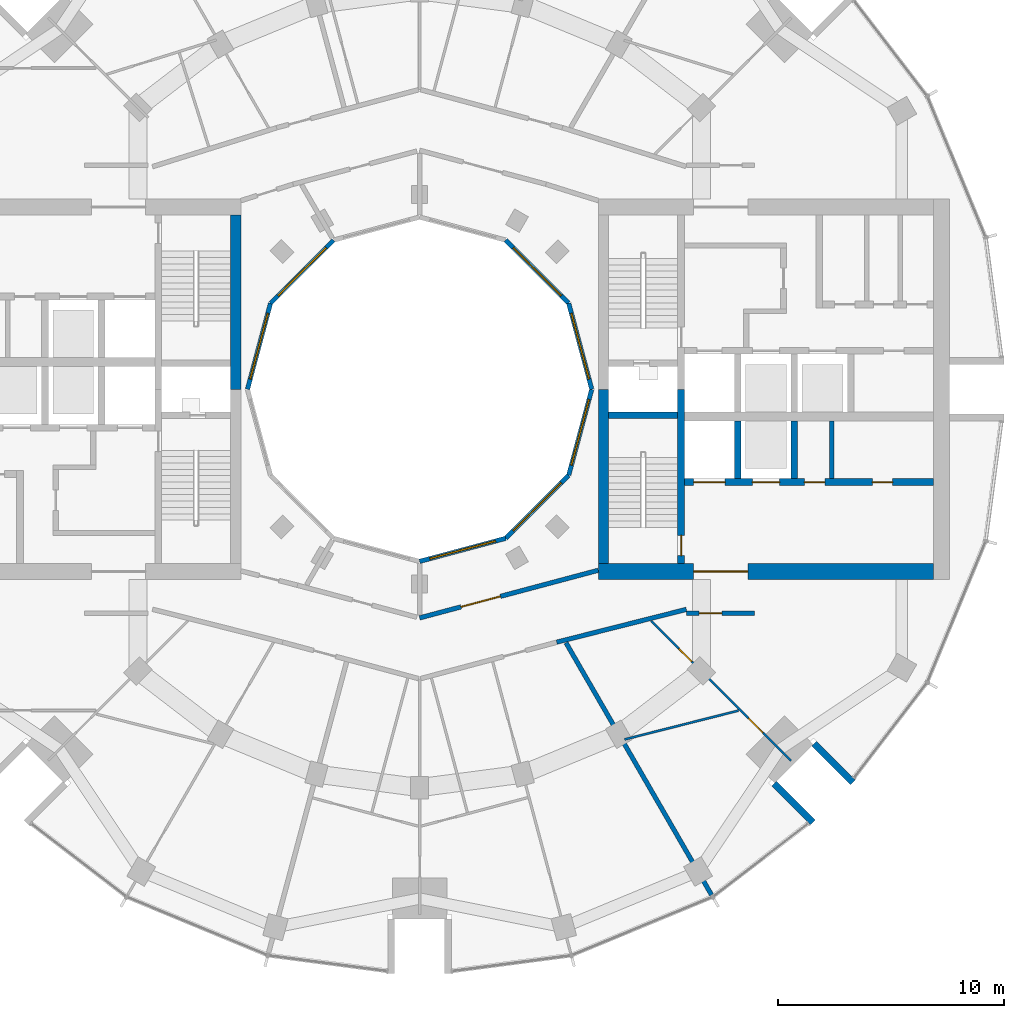
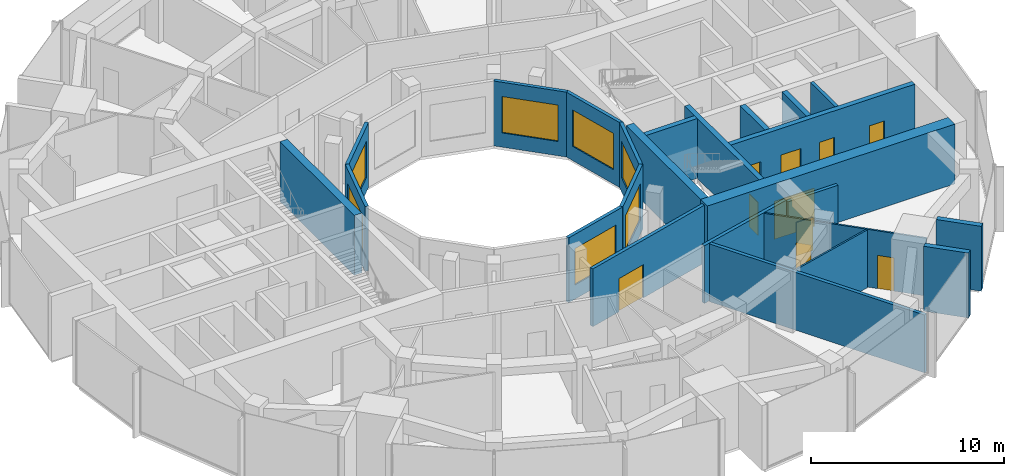
# One storey, part 10 of 15: 24 walls, 10 doors, 7 windows, 17 openings.
"""IFC4 building model written with IfcOpenShell, lengths in metres."""

from ifc_helpers import new_model, si_unit, direction, frame, frame_2d, origin, place, context, subcontext, project, spatial, rectangle, extrude, material, layer, layer_set, type_object, element, fill, save


model = new_model("IFC4")

# Units and contexts
model_context = context("Model", 3, precision=1e-05, world=origin(), true_north=direction((0.0, 1.0)))
body_context = subcontext(model_context, "Body", "Model", "MODEL_VIEW")
ifc_project = project(units=[si_unit("LENGTHUNIT", "METRE"), si_unit("AREAUNIT", "SQUARE_METRE"), si_unit("VOLUMEUNIT", "CUBIC_METRE"), si_unit("PLANEANGLEUNIT", "RADIAN"), si_unit("MASSUNIT", "GRAM", prefix="KILO")], contexts=[model_context])

# Site, building, storey
site_placement = place(None, origin())
site = spatial("IfcSite", under=ifc_project, at=site_placement, CompositionType="ELEMENT")
building_placement = place(site_placement, origin())
building = spatial("IfcBuilding", under=site, at=building_placement, Name="Torre Brocal", CompositionType="ELEMENT")
storey_placement = place(building_placement, frame((0.0, 0.0, 194.60009765625)))
storey = spatial("IfcBuildingStorey", under=building, at=storey_placement, Name="L45", CompositionType="ELEMENT", Elevation=194.60009765625)

# Wall
ifc_material_1 = material(Name="Masonry block", Category="masonry")
ifc_layer_1 = layer(ifc_material_1, 0.199951171875)
ifc_layer_set_1 = layer_set([ifc_layer_1], Name="Masonry block")
wall_type_1 = type_object("IfcWallType", Name="CORE PARTITION 200", PredefinedType="PARTITIONING", material=ifc_layer_set_1)
wall_1_placement = place(storey_placement, frame((98.199951171875, 71.050048828125, 0.0), z_axis=(0.0, 0.0, 1.0), x_axis=(0.0, 1.0, 0.0)))
element("IfcWall", 1, at=wall_1_placement, inside=storey, type_object=wall_type_1, Name="Wall CP200", PredefinedType="PARTITIONING", context=body_context, shape_type="SweptSolid", body=[
    extrude(rectangle(XDim=2.550048828125, YDim=0.199951171875, at=frame_2d((1.27490234375, 0.0))), origin(), (0.0, 0.0, 1.0), 3.77978515625),
])

# Wall, opening, door
ifc_material_2 = material(Name="Concrete C70", Category="concrete")
ifc_layer_2 = layer(ifc_material_2, 0.300048828125)
ifc_layer_set_2 = layer_set([ifc_layer_2], Name="Concrete C70")
wall_type_2 = type_object("IfcWallType", Name="CORE WALL 300 C70", PredefinedType="SHEAR", material=ifc_layer_set_2)
wall_2_placement = place(storey_placement, frame((91.550048828125, 67.300048828125, 0.0), z_axis=(0.0, 0.0, 1.0), x_axis=(0.0, 1.0, 0.0)))
wall_2 = element("IfcWall", 2, at=wall_2_placement, inside=storey, type_object=wall_type_2, Name="Wall CW300-70", PredefinedType="SHEAR", context=body_context, shape_type="SweptSolid", body=[
    extrude(rectangle(XDim=7.699951171875, YDim=0.300048828125, at=frame_2d((3.85009765625, 0.0))), origin(), (0.0, 0.0, 1.0), 3.77978515625),
])
opening_1_placement = place(wall_2_placement, frame((0.35009765625, 0.0, 0.0)))
opening_1 = element("IfcOpeningElement", 3, at=opening_1_placement, cuts=wall_2, Name="Opening E-D03", PredefinedType="OPENING", context=body_context, shape_type="SweptSolid", body=[
    extrude(rectangle(XDim=0.89990234375, YDim=2.10009765625, at=frame_2d((0.449951171875, 1.050048828125))), frame((0.0, 0.159912109375, 0.0), z_axis=(0.0, -1.0, 0.0), x_axis=(1.0, 0.0, 0.0)), (0.0, 0.0, 1.0), 0.320068359375),
])
ifc_material_3 = material(Name="Steel A653", Category="steel")
door_type_1 = type_object("IfcDoorType", Name="STAIR DOOR FD120 900X2100", OperationType="SINGLE_SWING_RIGHT", PredefinedType="DOOR", material=ifc_material_3)
door_1_placement = place(opening_1_placement, origin())
door_1 = element("IfcDoor", 4, at=door_1_placement, inside=storey, type_object=door_type_1, Name="Door E-D03", OperationType="SINGLE_SWING_LEFT", OverallHeight=2.10009765625, OverallWidth=0.89990234375, PredefinedType="DOOR", context=body_context, shape_type="SweptSolid", body=[
    extrude(rectangle(XDim=0.89990234375, YDim=2.10009765625, at=frame_2d((0.449951171875, 1.050048828125))), frame((0.0, 0.02490234375, 0.0), z_axis=(0.0, -1.0, 0.0), x_axis=(1.0, 0.0, 0.0)), (0.0, 0.0, 1.0), 0.050048828125),
])
fill(opening_1, door_1)

# Wall
wall_3_placement = place(storey_placement, frame((88.35009765625, 73.85009765625, 0.0), z_axis=(0.0, 0.0, 1.0), x_axis=(1.0, 0.0, 0.0)))
element("IfcWall", 5, at=wall_3_placement, inside=storey, type_object=wall_type_2, Name="Wall CW300-70", PredefinedType="SHEAR", context=body_context, shape_type="SweptSolid", body=[
    extrude(rectangle(XDim=3.0498046875, YDim=0.300048828125, at=frame_2d((1.52490234375, 0.0))), origin(), (0.0, 0.0, 1.0), 3.77978515625),
])

# Wall, openings, doors
wall_4_placement = place(storey_placement, frame((91.699951171875, 70.89990234375, 0.0), z_axis=(0.0, 0.0, 1.0), x_axis=(1.0, 0.0, 0.0)))
wall_4 = element("IfcWall", 6, at=wall_4_placement, inside=storey, type_object=wall_type_2, Name="Wall CW300-70", PredefinedType="SHEAR", context=body_context, shape_type="SweptSolid", body=[
    extrude(rectangle(XDim=11.0, YDim=0.300048828125, at=frame_2d((5.5, 0.0))), origin(), (0.0, 0.0, 1.0), 3.77978515625),
])
opening_2_placement = place(wall_4_placement, frame((0.39990234375, 0.0, 0.0)))
opening_2 = element("IfcOpeningElement", 7, at=opening_2_placement, cuts=wall_4, Name="Opening LD14", PredefinedType="OPENING", context=body_context, shape_type="SweptSolid", body=[
    extrude(rectangle(XDim=1.39990234375, YDim=2.10009765625, at=frame_2d((0.699951171875, 1.050048828125))), frame((0.0, 0.159912109375, 0.0), z_axis=(0.0, -1.0, 0.0), x_axis=(1.0, 0.0, 0.0)), (0.0, 0.0, 1.0), 0.320068359375),
])
opening_3_placement = place(wall_4_placement, frame((3.0, 0.0, 0.0)))
opening_3 = element("IfcOpeningElement", 8, at=opening_3_placement, cuts=wall_4, Name="Opening LD12", PredefinedType="OPENING", context=body_context, shape_type="SweptSolid", body=[
    extrude(rectangle(XDim=1.199951171875, YDim=2.10009765625, at=frame_2d((0.60009765625, 1.050048828125))), frame((0.0, 0.159912109375, 0.0), z_axis=(0.0, -1.0, 0.0), x_axis=(1.0, 0.0, 0.0)), (0.0, 0.0, 1.0), 0.320068359375),
])
opening_4_placement = place(wall_4_placement, frame((5.300048828125, 0.0, 0.0)))
opening_4 = element("IfcOpeningElement", 9, at=opening_4_placement, cuts=wall_4, Name="Opening E-D05", PredefinedType="OPENING", context=body_context, shape_type="SweptSolid", body=[
    extrude(rectangle(XDim=0.89990234375, YDim=2.10009765625, at=frame_2d((0.449951171875, 1.050048828125))), frame((0.0, 0.159912109375, 0.0), z_axis=(0.0, -1.0, 0.0), x_axis=(1.0, 0.0, 0.0)), (0.0, 0.0, 1.0), 0.320068359375),
])
opening_5_placement = place(wall_4_placement, frame((8.300048828125, 0.0, 0.0)))
opening_5 = element("IfcOpeningElement", 10, at=opening_5_placement, cuts=wall_4, Name="Opening E-D06", PredefinedType="OPENING", context=body_context, shape_type="SweptSolid", body=[
    extrude(rectangle(XDim=0.89990234375, YDim=2.10009765625, at=frame_2d((0.449951171875, 1.050048828125))), frame((0.0, 0.159912109375, 0.0), z_axis=(0.0, -1.0, 0.0), x_axis=(1.0, 0.0, 0.0)), (0.0, 0.0, 1.0), 0.320068359375),
])
ifc_material_4 = material(Name="Stainless steel AISI 316", Category="steel")
door_type_2 = type_object("IfcDoorType", Name="LIFT LANDING DOOR 1200X2100", OperationType="DOUBLE_DOOR_SLIDING", PredefinedType="DOOR", material=ifc_material_4)
door_2_placement = place(opening_3_placement, origin())
door_2 = element("IfcDoor", 11, at=door_2_placement, inside=storey, type_object=door_type_2, Name="Door LD12", OperationType="DOUBLE_DOOR_SLIDING", OverallHeight=2.10009765625, OverallWidth=1.199951171875, PredefinedType="DOOR", context=body_context, shape_type="SweptSolid", body=[
    extrude(rectangle(XDim=1.199951171875, YDim=2.10009765625, at=frame_2d((0.60009765625, 1.050048828125))), frame((0.0, 0.02490234375, 0.0), z_axis=(0.0, -1.0, 0.0), x_axis=(1.0, 0.0, 0.0)), (0.0, 0.0, 1.0), 0.050048828125),
])
fill(opening_3, door_2)
ifc_material_5 = material(Name="Stainless steel AISI 316", Category="steel")
door_type_3 = type_object("IfcDoorType", Name="LIFT LANDING DOOR 1400X2100", OperationType="DOUBLE_DOOR_SLIDING", PredefinedType="DOOR", material=ifc_material_5)
door_3_placement = place(opening_2_placement, origin())
door_3 = element("IfcDoor", 12, at=door_3_placement, inside=storey, type_object=door_type_3, Name="Door LD14", OperationType="DOUBLE_DOOR_SLIDING", OverallHeight=2.10009765625, OverallWidth=1.39990234375, PredefinedType="DOOR", context=body_context, shape_type="SweptSolid", body=[
    extrude(rectangle(XDim=1.39990234375, YDim=2.10009765625, at=frame_2d((0.699951171875, 1.050048828125))), frame((0.0, 0.02490234375, 0.0), z_axis=(0.0, -1.0, 0.0), x_axis=(1.0, 0.0, 0.0)), (0.0, 0.0, 1.0), 0.050048828125),
])
fill(opening_2, door_3)
ifc_material_6 = material(Name="Steel A653", Category="steel")
door_type_4 = type_object("IfcDoorType", Name="ROOM DOOR FD30S 900X2100", OperationType="SINGLE_SWING_LEFT", PredefinedType="DOOR", material=ifc_material_6)
door_4_placement = place(opening_4_placement, origin())
door_4 = element("IfcDoor", 13, at=door_4_placement, inside=storey, type_object=door_type_4, Name="Door E-D05", OperationType="SINGLE_SWING_RIGHT", OverallHeight=2.10009765625, OverallWidth=0.89990234375, PredefinedType="DOOR", context=body_context, shape_type="SweptSolid", body=[
    extrude(rectangle(XDim=0.89990234375, YDim=2.10009765625, at=frame_2d((0.449951171875, 1.050048828125))), frame((0.0, 0.02490234375, 0.0), z_axis=(0.0, -1.0, 0.0), x_axis=(1.0, 0.0, 0.0)), (0.0, 0.0, 1.0), 0.050048828125),
])
fill(opening_4, door_4)
door_5_placement = place(opening_5_placement, origin())
door_5 = element("IfcDoor", 14, at=door_5_placement, inside=storey, type_object=door_type_4, Name="Door E-D06", OperationType="SINGLE_SWING_RIGHT", OverallHeight=2.10009765625, OverallWidth=0.89990234375, PredefinedType="DOOR", context=body_context, shape_type="SweptSolid", body=[
    extrude(rectangle(XDim=0.89990234375, YDim=2.10009765625, at=frame_2d((0.449951171875, 1.050048828125))), frame((0.0, 0.02490234375, 0.0), z_axis=(0.0, -1.0, 0.0), x_axis=(1.0, 0.0, 0.0)), (0.0, 0.0, 1.0), 0.050048828125),
])
fill(opening_5, door_5)

# Walls
for number, where, z_axis, x_axis, name in (
    (15, (94.050048828125, 71.050048828125, 0.0), (0.0, 0.0, 1.0), (0.0, 1.0, 0.0), "Wall CW300-70"),
    (16, (96.550048828125, 71.050048828125, 0.0), (0.0, 0.0, 1.0), (0.0, 1.0, 0.0), "Wall CW300-70"),
):
    element("IfcWall", number, at=place(storey_placement, frame(where, z_axis=z_axis, x_axis=x_axis)), inside=storey, type_object=wall_type_2, Name=name, PredefinedType="SHEAR", context=body_context, shape_type="SweptSolid", body=[
        extrude(rectangle(XDim=2.550048828125, YDim=0.300048828125, at=frame_2d((1.27490234375, 0.0))), origin(), (0.0, 0.0, 1.0), 3.77978515625),
    ])
ifc_material_7 = material(Name="Concrete C70", Category="concrete")
ifc_layer_3 = layer(ifc_material_7, 0.449951171875)
ifc_layer_set_3 = layer_set([ifc_layer_3], Name="Concrete C70")
wall_type_3 = type_object("IfcWallType", Name="CORE WALL 450 C70", PredefinedType="SHEAR", material=ifc_layer_set_3)
for number, where, z_axis, x_axis, name in (
    (17, (88.125, 67.300048828125, 0.0), (0.0, 0.0, 1.0), (0.0, 1.0, 0.0), "Wall CW450-70"),
    (18, (71.875, 82.699951171875, 0.0), (0.0, 0.0, 1.0), (0.0, -1.0, 0.0), "Wall CW450-70"),
):
    element("IfcWall", number, at=place(storey_placement, frame(where, z_axis=z_axis, x_axis=x_axis)), inside=storey, type_object=wall_type_3, Name=name, PredefinedType="SHEAR", context=body_context, shape_type="SweptSolid", body=[
        extrude(rectangle(XDim=7.699951171875, YDim=0.449951171875, at=frame_2d((3.85009765625, 0.0))), origin(), (0.0, 0.0, 1.0), 3.77978515625),
    ])

# Wall, opening, door
ifc_material_8 = material(Name="Concrete C70", Category="concrete")
ifc_layer_4 = layer(ifc_material_8, 0.699951171875)
ifc_layer_set_4 = layer_set([ifc_layer_4], Name="Concrete C70")
wall_type_4 = type_object("IfcWallType", Name="CORE WALL 700 C70", PredefinedType="SHEAR", material=ifc_layer_set_4)
wall_5_placement = place(storey_placement, frame((87.89990234375, 66.949951171875, 0.0), z_axis=(0.0, 0.0, 1.0), x_axis=(1.0, 0.0, 0.0)))
wall_5 = element("IfcWall", 19, at=wall_5_placement, inside=storey, type_object=wall_type_4, Name="Wall CW700-70", PredefinedType="SHEAR", context=body_context, shape_type="SweptSolid", body=[
    extrude(rectangle(XDim=14.800048828125, YDim=0.699951171875, at=frame_2d((7.39990234375, 0.0))), origin(), (0.0, 0.0, 1.0), 3.77978515625),
])
opening_6_placement = place(wall_5_placement, frame((4.199951171875, 0.0, 0.0)))
opening_6 = element("IfcOpeningElement", 20, at=opening_6_placement, cuts=wall_5, Name="Opening E-D12", PredefinedType="OPENING", context=body_context, shape_type="SweptSolid", body=[
    extrude(rectangle(XDim=2.39990234375, YDim=2.39990234375, at=frame_2d((1.199951171875, 1.199951171875))), frame((0.0, 0.35986328125, 0.0), z_axis=(0.0, -1.0, 0.0), x_axis=(1.0, 0.0, 0.0)), (0.0, 0.0, 1.0), 0.719970703125),
])
ifc_material_9 = material(Name="Steel A653", Category="steel")
door_type_5 = type_object("IfcDoorType", Name="DOUBLE FIRE DOOR FD90 2400X2400", OperationType="DOUBLE_DOOR_SINGLE_SWING", PredefinedType="DOOR", material=ifc_material_9)
door_6_placement = place(opening_6_placement, origin())
door_6 = element("IfcDoor", 21, at=door_6_placement, inside=storey, type_object=door_type_5, Name="Door E-D12", OperationType="DOUBLE_DOOR_SINGLE_SWING", OverallHeight=2.39990234375, OverallWidth=2.39990234375, PredefinedType="DOOR", context=body_context, shape_type="SweptSolid", body=[
    extrude(rectangle(XDim=2.39990234375, YDim=2.39990234375, at=frame_2d((1.199951171875, 1.199951171875))), frame((0.0, 0.02490234375, 0.0), z_axis=(0.0, -1.0, 0.0), x_axis=(1.0, 0.0, 0.0)), (0.0, 0.0, 1.0), 0.050048828125),
])
fill(opening_6, door_6)

# Walls
ifc_material_10 = material(Name="Concrete C70", Category="concrete")
ifc_layer_5 = layer(ifc_material_10, 0.300048828125)
ifc_layer_set_5 = layer_set([ifc_layer_5], Name="Concrete C70")
wall_type_5 = type_object("IfcWallType", Name="NOTCH RETURN WALL 300 C70", PredefinedType="NOTDEFINED", material=ifc_layer_set_5)
for number, where, z_axis, x_axis, name in (
    (22, (95.662353515625, 57.56982421875, 0.0), (0.0, 0.0, 1.0), (0.707106781187, -0.707106781187, 0.0), "NOTCH RETURN WALL"),
    (23, (97.43017578125, 59.337646484375, 0.0), (0.0, 0.0, 1.0), (0.707106781187, -0.707106781187, 0.0), "NOTCH RETURN WALL"),
):
    element("IfcWall", number, at=place(storey_placement, frame(where, z_axis=z_axis, x_axis=x_axis)), inside=storey, type_object=wall_type_5, Name=name, PredefinedType="NOTDEFINED", context=body_context, shape_type="SweptSolid", body=[
        extrude(rectangle(XDim=2.415771484375, YDim=0.300048828125, at=frame_2d((1.2080078125, 0.0))), origin(), (0.0, 0.0, 1.0), 4.099853515625),
    ])
ifc_material_11 = material(Name="Gypsum board", Category="Gypsum")
ifc_layer_6 = layer(ifc_material_11, 0.10009765625)
ifc_layer_set_6 = layer_set([ifc_layer_6], Name="Gypsum board")
wall_type_6 = type_object("IfcWallType", Name="PARTITION 100", PredefinedType="PARTITIONING", material=ifc_layer_set_6)
wall_6_placement = place(storey_placement, frame((89.0537109375, 59.531005859375, 0.0), z_axis=(0.0, 0.0, 1.0), x_axis=(0.969472150829, 0.245201445279, 0.0)))
element("IfcWall", 24, at=wall_6_placement, inside=storey, type_object=wall_type_6, Name="BATHROOM WALL", PredefinedType="PARTITIONING", context=body_context, shape_type="SweptSolid", body=[
    extrude(rectangle(XDim=5.19140625, YDim=0.10009765625, at=frame_2d((2.595703125, 0.0))), origin(), (0.0, 0.0, 1.0), 3.64990234375),
])

# Wall, openings, doors
wall_7_placement = place(storey_placement, frame((90.236328125, 64.75830078125, 0.0), z_axis=(0.0, 0.0, 1.0), x_axis=(0.706952774706, -0.707260754132, 0.0)))
wall_7 = element("IfcWall", 25, at=wall_7_placement, inside=storey, type_object=wall_type_6, Name="BATHROOM WALL", PredefinedType="PARTITIONING", context=body_context, shape_type="SweptSolid", body=[
    extrude(rectangle(XDim=8.719970703125, YDim=0.10009765625, at=frame_2d((4.35986328125, 0.0))), origin(), (0.0, 0.0, 1.0), 3.64990234375),
])
opening_7_placement = place(wall_7_placement, frame((6.077392578125, 0.0, 0.0)))
opening_7 = element("IfcOpeningElement", 26, at=opening_7_placement, cuts=wall_7, Name="Opening R04-D22", PredefinedType="OPENING", context=body_context, shape_type="SweptSolid", body=[
    extrude(rectangle(XDim=0.89990234375, YDim=2.10009765625, at=frame_2d((0.449951171875, 1.050048828125))), frame((0.0, 0.06005859375, 0.0), z_axis=(0.0, -1.0, 0.0), x_axis=(1.0, 0.0, 0.0)), (0.0, 0.0, 1.0), 0.1201171875),
])
opening_8_placement = place(wall_7_placement, frame((1.722412109375, 0.0, 0.0)))
opening_8 = element("IfcOpeningElement", 27, at=opening_8_placement, cuts=wall_7, Name="Opening R04-D23", PredefinedType="OPENING", context=body_context, shape_type="SweptSolid", body=[
    extrude(rectangle(XDim=0.800048828125, YDim=2.10009765625, at=frame_2d((0.39990234375, 1.050048828125))), frame((0.0, 0.06005859375, 0.0), z_axis=(0.0, -1.0, 0.0), x_axis=(1.0, 0.0, 0.0)), (0.0, 0.0, 1.0), 0.1201171875),
])
ifc_material_12 = material(Name="Timber", Category="wood")
door_type_6 = type_object("IfcDoorType", Name="BATHROOM DOOR 800X2100", OperationType="SINGLE_SWING_LEFT", PredefinedType="DOOR", material=ifc_material_12)
door_7_placement = place(opening_8_placement, frame((0.800048828125, 0.0, 0.0), z_axis=(0.0, 0.0, 1.0), x_axis=(-1.0, 0.0, 0.0)))
door_7 = element("IfcDoor", 28, at=door_7_placement, inside=storey, type_object=door_type_6, Name="R04-D23", OperationType="SINGLE_SWING_RIGHT", OverallHeight=2.10009765625, OverallWidth=0.800048828125, PredefinedType="DOOR", context=body_context, shape_type="SweptSolid", body=[
    extrude(rectangle(XDim=0.800048828125, YDim=2.10009765625, at=frame_2d((0.39990234375, 1.050048828125))), frame((0.0, 0.02490234375, 0.0), z_axis=(0.0, -1.0, 0.0), x_axis=(1.0, 0.0, 0.0)), (0.0, 0.0, 1.0), 0.050048828125),
])
fill(opening_8, door_7)
ifc_material_13 = material(Name="Timber", Category="wood")
door_type_7 = type_object("IfcDoorType", Name="ROOM DOOR 900X2100", OperationType="SINGLE_SWING_LEFT", PredefinedType="DOOR", material=ifc_material_13)
door_8_placement = place(opening_7_placement, origin())
door_8 = element("IfcDoor", 29, at=door_8_placement, inside=storey, type_object=door_type_7, Name="R04-D22", OperationType="SINGLE_SWING_RIGHT", OverallHeight=2.10009765625, OverallWidth=0.89990234375, PredefinedType="DOOR", context=body_context, shape_type="SweptSolid", body=[
    extrude(rectangle(XDim=0.89990234375, YDim=2.10009765625, at=frame_2d((0.449951171875, 1.050048828125))), frame((0.0, 0.02490234375, 0.0), z_axis=(0.0, -1.0, 0.0), x_axis=(1.0, 0.0, 0.0)), (0.0, 0.0, 1.0), 0.050048828125),
])
fill(opening_7, door_8)

# Wall, opening, door
ifc_material_14 = material(Name="Gypsum board", Category="Gypsum")
ifc_layer_7 = layer(ifc_material_14, 0.199951171875)
ifc_layer_set_7 = layer_set([ifc_layer_7], Name="Gypsum board")
wall_type_7 = type_object("IfcWallType", Name="PARTITION 200 EI60", PredefinedType="PARTITIONING", material=ifc_layer_set_7)
wall_8_placement = place(storey_placement, frame((80.00048828125, 64.8984375, 0.0), z_axis=(0.0, 0.0, 1.0), x_axis=(0.966236923997, 0.25765520896, 0.0)))
wall_8 = element("IfcWall", 30, at=wall_8_placement, inside=storey, type_object=wall_type_7, Name="CORRIDOR WALL", PredefinedType="PARTITIONING", context=body_context, shape_type="SweptSolid", body=[
    extrude(rectangle(XDim=8.16796875, YDim=0.199951171875, at=frame_2d((4.083984375, 0.0))), origin(), (0.0, 0.0, 1.0), 3.64990234375),
])
opening_9_placement = place(wall_8_placement, frame((1.892578125, 0.0, 0.0)))
opening_9 = element("IfcOpeningElement", 31, at=opening_9_placement, cuts=wall_8, Name="Opening R04-D37", PredefinedType="OPENING", context=body_context, shape_type="SweptSolid", body=[
    extrude(rectangle(XDim=1.800048828125, YDim=2.10009765625, at=frame_2d((0.89990234375, 1.050048828125))), frame((0.0, 0.10986328125, 0.0), z_axis=(0.0, -1.0, 0.0), x_axis=(1.0, 0.0, 0.0)), (0.0, 0.0, 1.0), 0.219970703125),
])
ifc_material_15 = material(Name="Timber", Category="wood")
door_type_8 = type_object("IfcDoorType", Name="DOUBLE DOOR 1800X2100", OperationType="DOUBLE_DOOR_SINGLE_SWING", PredefinedType="DOOR", material=ifc_material_15)
door_9_placement = place(opening_9_placement, origin())
door_9 = element("IfcDoor", 32, at=door_9_placement, inside=storey, type_object=door_type_8, Name="R04-D37", OperationType="DOUBLE_DOOR_SINGLE_SWING", OverallHeight=2.10009765625, OverallWidth=1.800048828125, PredefinedType="DOOR", context=body_context, shape_type="SweptSolid", body=[
    extrude(rectangle(XDim=1.800048828125, YDim=2.10009765625, at=frame_2d((0.89990234375, 1.050048828125))), frame((0.0, 0.02490234375, 0.0), z_axis=(0.0, -1.0, 0.0), x_axis=(1.0, 0.0, 0.0)), (0.0, 0.0, 1.0), 0.050048828125),
])
fill(opening_9, door_9)

# Walls
wall_9_placement = place(storey_placement, frame((86.052978515625, 63.826171875, 0.0), z_axis=(0.0, 0.0, 1.0), x_axis=(0.969490004987, 0.245130843083, 0.0)))
element("IfcWall", 33, at=wall_9_placement, inside=storey, type_object=wall_type_7, Name="FLAT ENTRANCE WALL", PredefinedType="PARTITIONING", context=body_context, shape_type="SweptSolid", body=[
    extrude(rectangle(XDim=5.907958984375, YDim=0.199951171875, at=frame_2d((2.9541015625, 0.0))), origin(), (0.0, 0.0, 1.0), 3.64990234375),
])
wall_10_placement = place(storey_placement, frame((86.4658203125, 63.80126953125, 0.0), z_axis=(0.0, 0.0, 1.0), x_axis=(0.499937082171, -0.866061726362, 0.0)))
element("IfcWall", 34, at=wall_10_placement, inside=storey, type_object=wall_type_7, Name="BATHROOM WALL", PredefinedType="PARTITIONING", context=body_context, shape_type="SweptSolid", body=[
    extrude(rectangle(XDim=12.866455078125, YDim=0.199951171875, at=frame_2d((6.43310546875, 0.0))), origin(), (0.0, 0.0, 1.0), 3.64990234375),
])

# Wall, opening, door
wall_11_placement = place(storey_placement, frame((91.800048828125, 65.10009765625, 0.0), z_axis=(0.0, 0.0, 1.0), x_axis=(1.0, 0.0, 0.0)))
wall_11 = element("IfcWall", 35, at=wall_11_placement, inside=storey, type_object=wall_type_7, Name="FLAT ENTRANCE WALL", PredefinedType="PARTITIONING", context=body_context, shape_type="SweptSolid", body=[
    extrude(rectangle(XDim=3.0, YDim=0.199951171875, at=frame_2d((1.5, 0.0))), origin(), (0.0, 0.0, 1.0), 3.64990234375),
])
opening_10_placement = place(wall_11_placement, frame((0.550048828125, 0.0, 0.0)))
opening_10 = element("IfcOpeningElement", 36, at=opening_10_placement, cuts=wall_11, Name="Opening R04-D21", PredefinedType="OPENING", context=body_context, shape_type="SweptSolid", body=[
    extrude(rectangle(XDim=1.0, YDim=2.10009765625, at=frame_2d((0.5, 1.050048828125))), frame((0.0, 0.10986328125, 0.0), z_axis=(0.0, -1.0, 0.0), x_axis=(1.0, 0.0, 0.0)), (0.0, 0.0, 1.0), 0.219970703125),
])
ifc_material_16 = material(Name="Timber", Category="wood")
door_type_9 = type_object("IfcDoorType", Name="FLAT ENTRY DOOR FD30S 1000X2100", OperationType="SINGLE_SWING_RIGHT", PredefinedType="DOOR", material=ifc_material_16)
door_10_placement = place(opening_10_placement, frame((1.0, 0.0, 0.0), z_axis=(0.0, 0.0, 1.0), x_axis=(-1.0, 0.0, 0.0)))
door_10 = element("IfcDoor", 37, at=door_10_placement, inside=storey, type_object=door_type_9, Name="R04-D21", OperationType="SINGLE_SWING_RIGHT", OverallHeight=2.10009765625, OverallWidth=1.0, PredefinedType="DOOR", context=body_context, shape_type="SweptSolid", body=[
    extrude(rectangle(XDim=1.0, YDim=2.10009765625, at=frame_2d((0.5, 1.050048828125))), frame((0.0, 0.02490234375, 0.0), z_axis=(0.0, -1.0, 0.0), x_axis=(1.0, 0.0, 0.0)), (0.0, 0.0, 1.0), 0.050048828125),
])
fill(opening_10, door_10)

# Wall, opening, window
ifc_material_17 = material(Name="Concrete C40", Category="concrete")
ifc_layer_8 = layer(ifc_material_17, 0.199951171875)
ifc_layer_set_8 = layer_set([ifc_layer_8], Name="Concrete C40")
wall_type_8 = type_object("IfcWallType", Name="WELL FACADE WALL 200", PredefinedType="NOTDEFINED", material=ifc_layer_set_8)
wall_12_placement = place(storey_placement, frame((87.603515625, 75.0, 0.0), z_axis=(0.0, 0.0, 1.0), x_axis=(-0.258789828301, 0.965933654434, 0.0)))
wall_12 = element("IfcWall", 38, at=wall_12_placement, inside=storey, type_object=wall_type_8, Name="WELL FACADE WALL", PredefinedType="NOTDEFINED", context=body_context, shape_type="SweptSolid", body=[
    extrude(rectangle(XDim=3.935791015625, YDim=0.199951171875, at=frame_2d((1.9677734375, 0.0))), origin(), (0.0, 0.0, 1.0), 4.099853515625),
])
opening_11_placement = place(wall_12_placement, frame((0.468017578125, 0.0, 0.89990234375)))
opening_11 = element("IfcOpeningElement", 39, at=opening_11_placement, cuts=wall_12, Name="Opening W1", PredefinedType="OPENING", context=body_context, shape_type="SweptSolid", body=[
    extrude(rectangle(XDim=3.0, YDim=2.300048828125, at=frame_2d((1.5, 1.14990234375))), frame((0.0, 0.10986328125, 0.0), z_axis=(0.0, -1.0, 0.0), x_axis=(1.0, 0.0, 0.0)), (0.0, 0.0, 1.0), 0.219970703125),
])
ifc_material_18 = material(Name="Aluminium and glass", Category="aluminium")
window_type = type_object("IfcWindowType", Name="WELL WINDOW 3000X2300", PartitioningType="SINGLE_PANEL", PredefinedType="WINDOW", material=ifc_material_18)
window_1_placement = place(opening_11_placement, origin())
window_1 = element("IfcWindow", 40, at=window_1_placement, inside=storey, type_object=window_type, Name="WELL WINDOW 3000X2300", OverallHeight=2.300048828125, OverallWidth=3.0, PartitioningType="SINGLE_PANEL", PredefinedType="WINDOW", context=body_context, shape_type="SweptSolid", body=[
    extrude(rectangle(XDim=3.0, YDim=2.300048828125, at=frame_2d((1.5, 1.14990234375))), frame((0.0, 0.030029296875, 0.0), z_axis=(0.0, -1.0, 0.0), x_axis=(1.0, 0.0, 0.0)), (0.0, 0.0, 1.0), 0.06005859375),
])
fill(opening_11, window_1)

wall_13_placement = place(storey_placement, frame((86.5849609375, 78.8017578125, 0.0), z_axis=(0.0, 0.0, 1.0), x_axis=(-0.707106781187, 0.707106781187, 0.0)))
wall_13 = element("IfcWall", 41, at=wall_13_placement, inside=storey, type_object=wall_type_8, Name="WELL FACADE WALL", PredefinedType="NOTDEFINED", context=body_context, shape_type="SweptSolid", body=[
    extrude(rectangle(XDim=3.93603515625, YDim=0.199951171875, at=frame_2d((1.968017578125, 0.0))), origin(), (0.0, 0.0, 1.0), 4.099853515625),
])
opening_12_placement = place(wall_13_placement, frame((0.468017578125, 0.0, 0.89990234375)))
opening_12 = element("IfcOpeningElement", 42, at=opening_12_placement, cuts=wall_13, Name="Opening W1", PredefinedType="OPENING", context=body_context, shape_type="SweptSolid", body=[
    extrude(rectangle(XDim=3.0, YDim=2.300048828125, at=frame_2d((1.5, 1.14990234375))), frame((0.0, 0.10986328125, 0.0), z_axis=(0.0, -1.0, 0.0), x_axis=(1.0, 0.0, 0.0)), (0.0, 0.0, 1.0), 0.219970703125),
])
window_2_placement = place(opening_12_placement, origin())
window_2 = element("IfcWindow", 43, at=window_2_placement, inside=storey, type_object=window_type, Name="WELL WINDOW 3000X2300", OverallHeight=2.300048828125, OverallWidth=3.0, PartitioningType="SINGLE_PANEL", PredefinedType="WINDOW", context=body_context, shape_type="SweptSolid", body=[
    extrude(rectangle(XDim=3.0, YDim=2.300048828125, at=frame_2d((1.5, 1.14990234375))), frame((0.0, 0.030029296875, 0.0), z_axis=(0.0, -1.0, 0.0), x_axis=(1.0, 0.0, 0.0)), (0.0, 0.0, 1.0), 0.06005859375),
])
fill(opening_12, window_2)

wall_14_placement = place(storey_placement, frame((76.1982421875, 81.5849609375, 0.0), z_axis=(0.0, 0.0, 1.0), x_axis=(-0.707106781187, -0.707106781187, 0.0)))
wall_14 = element("IfcWall", 44, at=wall_14_placement, inside=storey, type_object=wall_type_8, Name="WELL FACADE WALL", PredefinedType="NOTDEFINED", context=body_context, shape_type="SweptSolid", body=[
    extrude(rectangle(XDim=3.93603515625, YDim=0.199951171875, at=frame_2d((1.968017578125, 0.0))), origin(), (0.0, 0.0, 1.0), 4.099853515625),
])
opening_13_placement = place(wall_14_placement, frame((0.468017578125, 0.0, 0.89990234375)))
opening_13 = element("IfcOpeningElement", 45, at=opening_13_placement, cuts=wall_14, Name="Opening W1", PredefinedType="OPENING", context=body_context, shape_type="SweptSolid", body=[
    extrude(rectangle(XDim=3.0, YDim=2.300048828125, at=frame_2d((1.5, 1.14990234375))), frame((0.0, 0.10986328125, 0.0), z_axis=(0.0, -1.0, 0.0), x_axis=(1.0, 0.0, 0.0)), (0.0, 0.0, 1.0), 0.219970703125),
])
window_3_placement = place(opening_13_placement, origin())
window_3 = element("IfcWindow", 46, at=window_3_placement, inside=storey, type_object=window_type, Name="WELL WINDOW 3000X2300", OverallHeight=2.300048828125, OverallWidth=3.0, PartitioningType="SINGLE_PANEL", PredefinedType="WINDOW", context=body_context, shape_type="SweptSolid", body=[
    extrude(rectangle(XDim=3.0, YDim=2.300048828125, at=frame_2d((1.5, 1.14990234375))), frame((0.0, 0.030029296875, 0.0), z_axis=(0.0, -1.0, 0.0), x_axis=(1.0, 0.0, 0.0)), (0.0, 0.0, 1.0), 0.06005859375),
])
fill(opening_13, window_3)

wall_15_placement = place(storey_placement, frame((73.4150390625, 78.8017578125, 0.0), z_axis=(0.0, 0.0, 1.0), x_axis=(-0.258789828301, -0.965933654434, 0.0)))
wall_15 = element("IfcWall", 47, at=wall_15_placement, inside=storey, type_object=wall_type_8, Name="WELL FACADE WALL", PredefinedType="NOTDEFINED", context=body_context, shape_type="SweptSolid", body=[
    extrude(rectangle(XDim=3.935791015625, YDim=0.199951171875, at=frame_2d((1.9677734375, 0.0))), origin(), (0.0, 0.0, 1.0), 4.099853515625),
])
opening_14_placement = place(wall_15_placement, frame((0.468017578125, 0.0, 0.89990234375)))
opening_14 = element("IfcOpeningElement", 48, at=opening_14_placement, cuts=wall_15, Name="Opening W1", PredefinedType="OPENING", context=body_context, shape_type="SweptSolid", body=[
    extrude(rectangle(XDim=3.0, YDim=2.300048828125, at=frame_2d((1.5, 1.14990234375))), frame((0.0, 0.10986328125, 0.0), z_axis=(0.0, -1.0, 0.0), x_axis=(1.0, 0.0, 0.0)), (0.0, 0.0, 1.0), 0.219970703125),
])
window_4_placement = place(opening_14_placement, origin())
window_4 = element("IfcWindow", 49, at=window_4_placement, inside=storey, type_object=window_type, Name="WELL WINDOW 3000X2300", OverallHeight=2.300048828125, OverallWidth=3.0, PartitioningType="SINGLE_PANEL", PredefinedType="WINDOW", context=body_context, shape_type="SweptSolid", body=[
    extrude(rectangle(XDim=3.0, YDim=2.300048828125, at=frame_2d((1.5, 1.14990234375))), frame((0.0, 0.030029296875, 0.0), z_axis=(0.0, -1.0, 0.0), x_axis=(1.0, 0.0, 0.0)), (0.0, 0.0, 1.0), 0.06005859375),
])
fill(opening_14, window_4)

wall_16_placement = place(storey_placement, frame((80.0, 67.396484375, 0.0), z_axis=(0.0, 0.0, 1.0), x_axis=(0.965933654434, 0.258789828301, 0.0)))
wall_16 = element("IfcWall", 50, at=wall_16_placement, inside=storey, type_object=wall_type_8, Name="WELL FACADE WALL", PredefinedType="NOTDEFINED", context=body_context, shape_type="SweptSolid", body=[
    extrude(rectangle(XDim=3.935791015625, YDim=0.199951171875, at=frame_2d((1.9677734375, 0.0))), origin(), (0.0, 0.0, 1.0), 4.099853515625),
])
opening_15_placement = place(wall_16_placement, frame((0.468017578125, 0.0, 0.89990234375)))
opening_15 = element("IfcOpeningElement", 51, at=opening_15_placement, cuts=wall_16, Name="Opening W1", PredefinedType="OPENING", context=body_context, shape_type="SweptSolid", body=[
    extrude(rectangle(XDim=3.0, YDim=2.300048828125, at=frame_2d((1.5, 1.14990234375))), frame((0.0, 0.10986328125, 0.0), z_axis=(0.0, -1.0, 0.0), x_axis=(1.0, 0.0, 0.0)), (0.0, 0.0, 1.0), 0.219970703125),
])
window_5_placement = place(opening_15_placement, origin())
window_5 = element("IfcWindow", 52, at=window_5_placement, inside=storey, type_object=window_type, Name="WELL WINDOW 3000X2300", OverallHeight=2.300048828125, OverallWidth=3.0, PartitioningType="SINGLE_PANEL", PredefinedType="WINDOW", context=body_context, shape_type="SweptSolid", body=[
    extrude(rectangle(XDim=3.0, YDim=2.300048828125, at=frame_2d((1.5, 1.14990234375))), frame((0.0, 0.030029296875, 0.0), z_axis=(0.0, -1.0, 0.0), x_axis=(1.0, 0.0, 0.0)), (0.0, 0.0, 1.0), 0.06005859375),
])
fill(opening_15, window_5)

wall_17_placement = place(storey_placement, frame((83.8017578125, 68.4150390625, 0.0), z_axis=(0.0, 0.0, 1.0), x_axis=(0.707106781187, 0.707106781187, 0.0)))
wall_17 = element("IfcWall", 53, at=wall_17_placement, inside=storey, type_object=wall_type_8, Name="WELL FACADE WALL", PredefinedType="NOTDEFINED", context=body_context, shape_type="SweptSolid", body=[
    extrude(rectangle(XDim=3.93603515625, YDim=0.199951171875, at=frame_2d((1.968017578125, 0.0))), origin(), (0.0, 0.0, 1.0), 4.099853515625),
])
opening_16_placement = place(wall_17_placement, frame((0.468017578125, 0.0, 0.89990234375)))
opening_16 = element("IfcOpeningElement", 54, at=opening_16_placement, cuts=wall_17, Name="Opening W1", PredefinedType="OPENING", context=body_context, shape_type="SweptSolid", body=[
    extrude(rectangle(XDim=3.0, YDim=2.300048828125, at=frame_2d((1.5, 1.14990234375))), frame((0.0, 0.10986328125, 0.0), z_axis=(0.0, -1.0, 0.0), x_axis=(1.0, 0.0, 0.0)), (0.0, 0.0, 1.0), 0.219970703125),
])
window_6_placement = place(opening_16_placement, origin())
window_6 = element("IfcWindow", 55, at=window_6_placement, inside=storey, type_object=window_type, Name="WELL WINDOW 3000X2300", OverallHeight=2.300048828125, OverallWidth=3.0, PartitioningType="SINGLE_PANEL", PredefinedType="WINDOW", context=body_context, shape_type="SweptSolid", body=[
    extrude(rectangle(XDim=3.0, YDim=2.300048828125, at=frame_2d((1.5, 1.14990234375))), frame((0.0, 0.030029296875, 0.0), z_axis=(0.0, -1.0, 0.0), x_axis=(1.0, 0.0, 0.0)), (0.0, 0.0, 1.0), 0.06005859375),
])
fill(opening_16, window_6)

wall_18_placement = place(storey_placement, frame((86.5849609375, 71.1982421875, 0.0), z_axis=(0.0, 0.0, 1.0), x_axis=(0.258789828301, 0.965933654434, 0.0)))
wall_18 = element("IfcWall", 56, at=wall_18_placement, inside=storey, type_object=wall_type_8, Name="WELL FACADE WALL", PredefinedType="NOTDEFINED", context=body_context, shape_type="SweptSolid", body=[
    extrude(rectangle(XDim=3.935791015625, YDim=0.199951171875, at=frame_2d((1.9677734375, 0.0))), origin(), (0.0, 0.0, 1.0), 4.099853515625),
])
opening_17_placement = place(wall_18_placement, frame((0.468017578125, 0.0, 0.89990234375)))
opening_17 = element("IfcOpeningElement", 57, at=opening_17_placement, cuts=wall_18, Name="Opening W1", PredefinedType="OPENING", context=body_context, shape_type="SweptSolid", body=[
    extrude(rectangle(XDim=3.0, YDim=2.300048828125, at=frame_2d((1.5, 1.14990234375))), frame((0.0, 0.10986328125, 0.0), z_axis=(0.0, -1.0, 0.0), x_axis=(1.0, 0.0, 0.0)), (0.0, 0.0, 1.0), 0.219970703125),
])
window_7_placement = place(opening_17_placement, origin())
window_7 = element("IfcWindow", 58, at=window_7_placement, inside=storey, type_object=window_type, Name="WELL WINDOW 3000X2300", OverallHeight=2.300048828125, OverallWidth=3.0, PartitioningType="SINGLE_PANEL", PredefinedType="WINDOW", context=body_context, shape_type="SweptSolid", body=[
    extrude(rectangle(XDim=3.0, YDim=2.300048828125, at=frame_2d((1.5, 1.14990234375))), frame((0.0, 0.030029296875, 0.0), z_axis=(0.0, -1.0, 0.0), x_axis=(1.0, 0.0, 0.0)), (0.0, 0.0, 1.0), 0.06005859375),
])
fill(opening_17, window_7)

save(model, "model.ifc")
